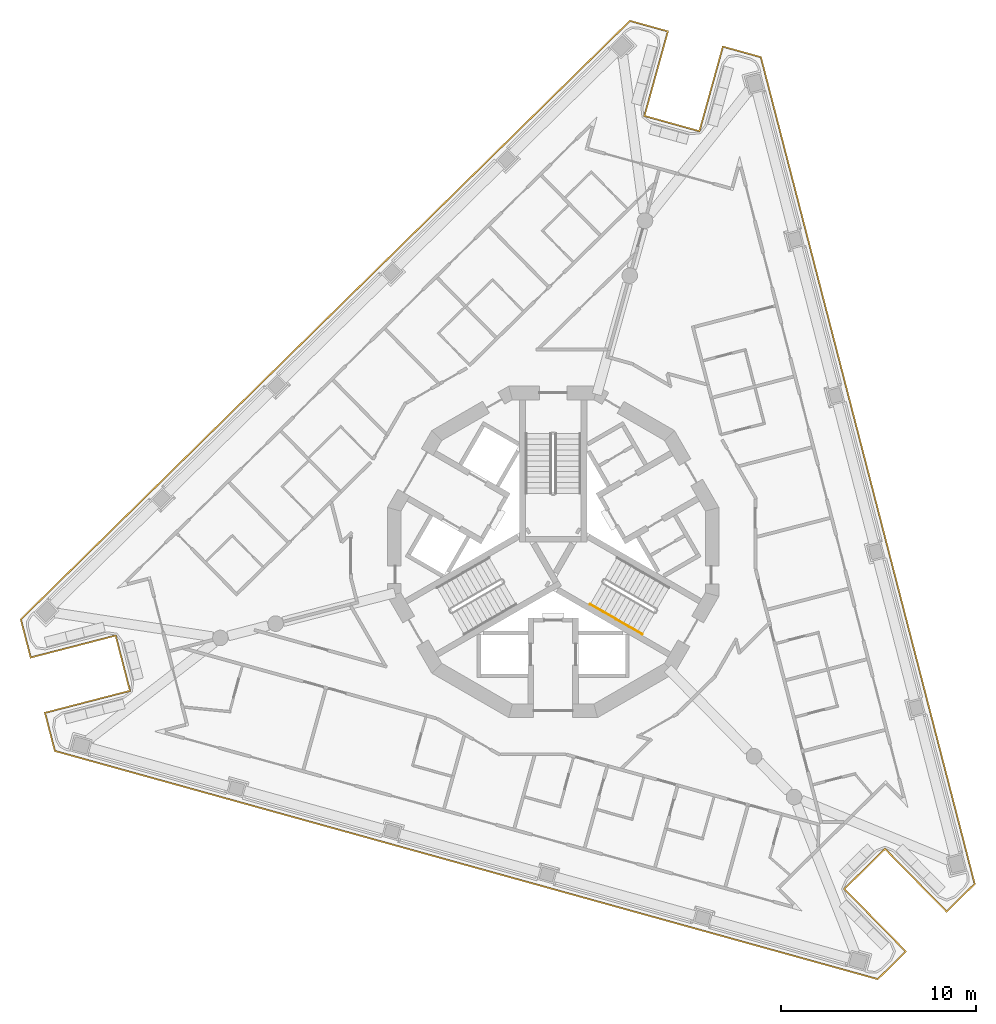
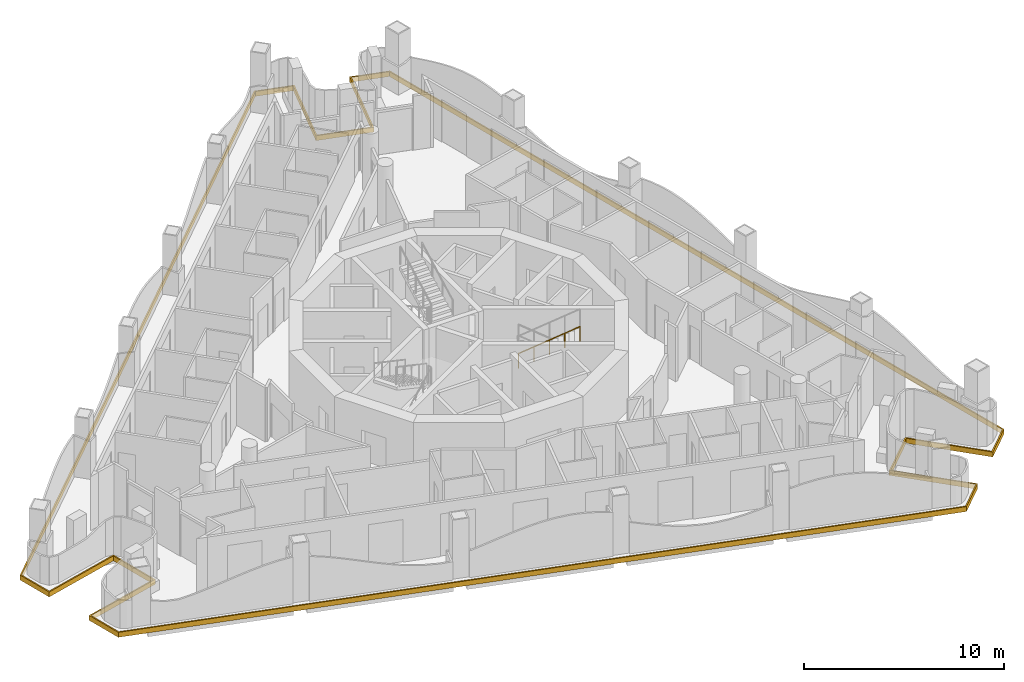
# One storey, part 11 of 14: 2 railings, 1 covering.
"""IFC4 building model written with IfcOpenShell, lengths in metres."""

from ifc_helpers import new_model, si_unit, direction, frame, origin, origin_2d, place, context, subcontext, project, spatial, polyline, circle, outline, extrude, material, layer, layer_set, type_object, element, save


model = new_model("IFC4")

# Units and contexts
model_context = context("Model", 3, precision=1e-05, world=origin(), true_north=direction((0.0, 1.0)))
body_context = subcontext(model_context, "Body", "Model", "MODEL_VIEW")
ifc_project = project(units=[si_unit("LENGTHUNIT", "METRE"), si_unit("AREAUNIT", "SQUARE_METRE"), si_unit("VOLUMEUNIT", "CUBIC_METRE"), si_unit("PLANEANGLEUNIT", "RADIAN"), si_unit("MASSUNIT", "GRAM", prefix="KILO")], contexts=[model_context])

# Site, building, storey
site_placement = place(None, origin())
site = spatial("IfcSite", under=ifc_project, at=site_placement, CompositionType="ELEMENT")
building_placement = place(site_placement, origin())
building = spatial("IfcBuilding", under=site, at=building_placement, Name="Trine Commons Tower", CompositionType="ELEMENT")
storey_placement = place(building_placement, frame((0.0, 0.0, 242.10009765625)))
storey = spatial("IfcBuildingStorey", under=building, at=storey_placement, Name="L63", CompositionType="ELEMENT", Elevation=242.10009765625)

# Covering
ifc_material_1 = material(Name="Limestone, honed", Category="masonry")
ifc_layer = layer(ifc_material_1, 0.074951171875)
ifc_layer_set = layer_set([ifc_layer], Name="Limestone, honed")
covering_type = type_object("IfcCoveringType", Name="Limestone spandrel panel 75", PredefinedType="CLADDING", material=ifc_layer_set)
covering_placement = place(storey_placement, frame((0.0, 0.0, -0.300048828125)))
element("IfcCovering", 1, at=covering_placement, inside=storey, type_object=covering_type, Name="Limestone spandrel panel 7-01", PredefinedType="CLADDING", context=body_context, shape_type="SweptSolid", body=[
    extrude(outline(polyline([(97.018310546875, 47.215087890625), (100.172607421875, 44.00537109375), (101.65771484375, 45.465087890625), (90.68359375, 87.899169921875), (88.677001953125, 88.45556640625), (87.474365234375, 84.119140625), (84.72802734375, 84.880859375), (85.9306640625, 89.21728515625), (83.923828125, 89.773681640625), (52.662109375, 59.052734375), (53.183349609375, 57.03662109375), (57.5400390625, 58.163330078125), (58.253662109375, 55.404052734375), (53.89697265625, 54.27734375), (54.418212890625, 52.26123046875), (96.654541015625, 40.548095703125), (98.1396484375, 42.0078125), (94.985595703125, 45.21728515625), (97.018310546875, 47.215087890625)]), holes=[polyline([(88.72900390625, 88.36328125), (90.621826171875, 87.83837890625), (101.57421875, 45.488037109375), (100.17333984375, 44.111572265625), (97.019287109375, 47.321044921875), (94.879638671875, 45.218505859375), (98.03369140625, 42.0087890625), (96.6328125, 40.632080078125), (54.47998046875, 52.322021484375), (53.98828125, 54.2236328125), (58.344970703125, 55.350341796875), (57.593994140625, 58.254638671875), (53.2373046875, 57.1279296875), (52.745361328125, 59.029541015625), (83.945556640625, 89.68994140625), (85.838134765625, 89.1650390625), (84.6357421875, 84.82861328125), (87.526611328125, 84.02685546875), (88.72900390625, 88.36328125)])]), origin(), (0.0, 0.0, 1.0), 0.300048828125),
])

# Railings
ifc_material_2 = material(Name="Stainless steel handrail", Category="steel")
railing_type = type_object("IfcRailingType", Name="Stair handrail, steel 900", PredefinedType="HANDRAIL", material=ifc_material_2)
for number, where, name in (
    (2, (81.90234375, 59.81396484375, 1.949951171875), "L63 ST3C stair handrail 3"),
    (3, (83.236083984375, 59.0439453125, 2.77490234375), "L63 ST3C stair handrail 4"),
):
    element("IfcRailing", number, at=place(storey_placement, frame(where)), inside=storey, type_object=railing_type, Name=name, PredefinedType="HANDRAIL", context=body_context, shape_type="SweptSolid", body=[
        extrude(circle(Radius=0.02099609375, at=origin_2d()), frame((0.0, 0.0, 0.87890625), z_axis=(0.76340495495, -0.440743040072, 0.472184759798), x_axis=(0.499992328818, 0.866029832698, 0.0)), (0.0, 0.0, 1.0), 1.7470703125),
        extrude(circle(Radius=0.01513671875, at=origin_2d()), origin(), (0.0, 0.0, 1.0), 0.85791015625),
        extrude(circle(Radius=0.01513671875, at=origin_2d()), frame((0.6669921875, -0.385009765625, 0.41259765625)), (0.0, 0.0, 1.0), 0.85791015625),
        extrude(circle(Radius=0.01513671875, at=origin_2d()), frame((1.333740234375, -0.77001953125, 0.824951171875)), (0.0, 0.0, 1.0), 0.85791015625),
    ])

save(model, "model.ifc")
